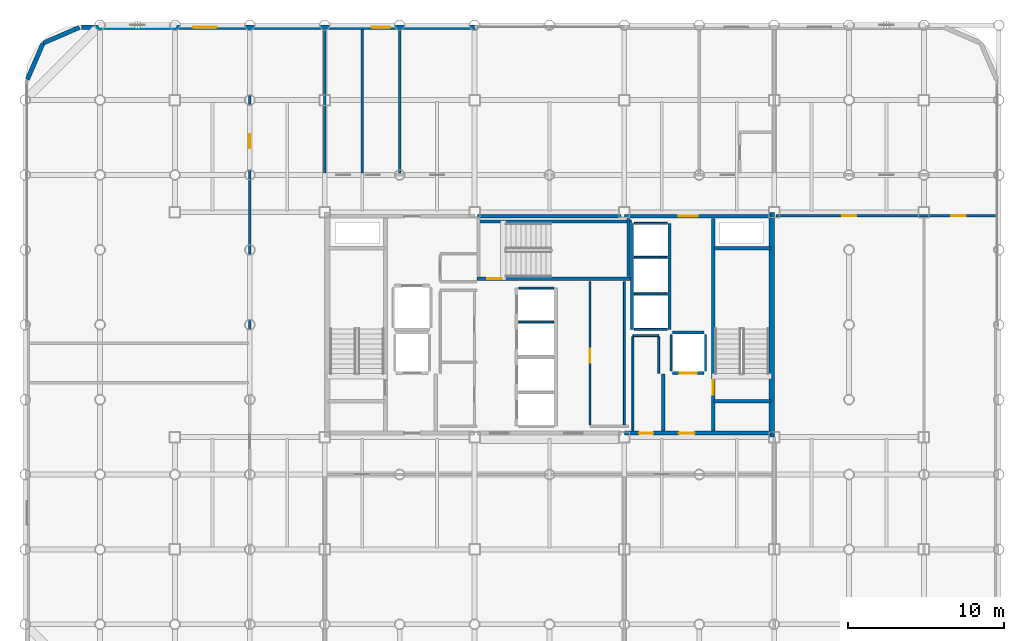
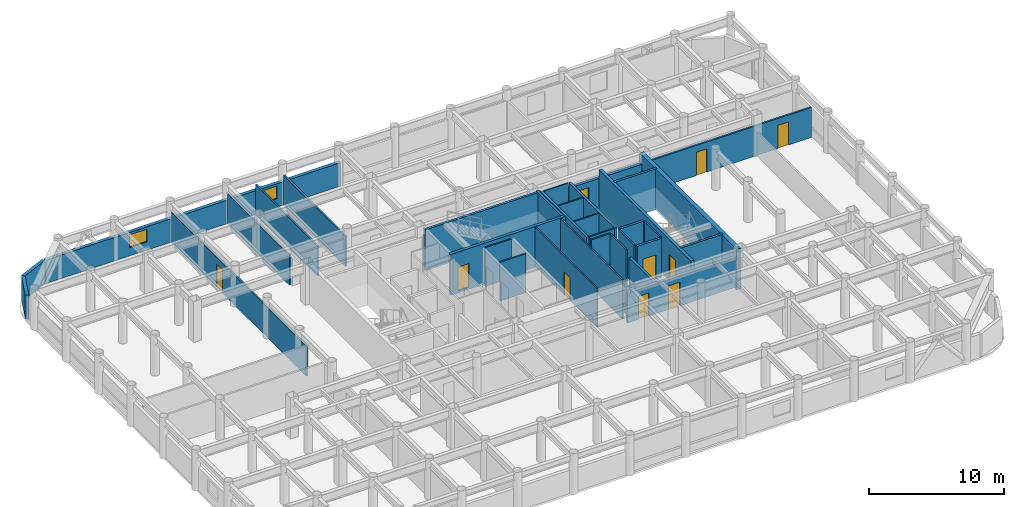
# One storey, part 17 of 19: 36 walls, 10 doors, 2 windows, 12 openings.
"""IFC4 building model written with IfcOpenShell, lengths in metres."""

import ifcopenshell
import ifcopenshell.guid

model = None  # the IFC model being written
_history = None  # IfcOwnerHistory: only IFC2X3 demands one
_inside = {}  # id of a spatial element -> (the spatial element, [elements in it])
_under = {}  # id of a project, library or spatial element -> (it, [spatial elements below it])
_declared = {}  # id of a project -> (the project, [libraries it declares])
_typed = {}  # id of a type object -> (the type object, [elements of that type])
_made_of = {}  # id of a material, layer set ... -> (it, [elements and type objects made of it])


def new_model(schema):
    """Start an empty IFC model of exactly this schema.

    Asked for "IFC4X3", IfcOpenShell would pick the latest addendum, in which some entities
    have other attributes; the version numbers below select the first issue.
    IFC2X3 requires an IfcOwnerHistory on every rooted entity: one is made here for all.
    """
    global model, _history
    if schema == "IFC4X3":
        model = ifcopenshell.file(schema_version=(4, 3, 0, 0))
    else:
        model = ifcopenshell.file(schema=schema)
    _inside.clear()
    _under.clear()
    _declared.clear()
    _typed.clear()
    _made_of.clear()
    _history = None
    if model.schema == "IFC2X3":
        org = make("IfcOrganization", Name="unknown")
        user = make(
            "IfcPersonAndOrganization",
            ThePerson=make("IfcPerson", FamilyName="unknown"),
            TheOrganization=org,
        )
        app = make(
            "IfcApplication",
            ApplicationDeveloper=org,
            Version="unknown",
            ApplicationFullName="unknown",
            ApplicationIdentifier="unknown",
        )
        _history = make(
            "IfcOwnerHistory",
            OwningUser=user,
            OwningApplication=app,
            ChangeAction="ADDED",
            CreationDate=0,
        )
    return model


def make(cls, **values):
    """One entity of the class cls with the attributes given. An attribute that is None is left unset."""
    return model.create_entity(
        cls, **{name: value for name, value in values.items() if value is not None}
    )


def rooted(cls, **values):
    """An entity with a GlobalId (a new one), such as an element, a storey or a relation."""
    return make(cls, GlobalId=ifcopenshell.guid.new(), OwnerHistory=_history, **values)


def si_unit(unit_type, name, prefix=None):
    """IfcSIUnit, for example si_unit("LENGTHUNIT", "METRE", prefix="MILLI")."""
    return make("IfcSIUnit", UnitType=unit_type, Prefix=prefix, Name=name)


def assignment(units):
    """IfcUnitAssignment: the units of a project."""
    return None if units is None else make("IfcUnitAssignment", Units=units)


def point(xyz):
    """IfcCartesianPoint."""
    return None if xyz is None else make("IfcCartesianPoint", Coordinates=xyz)


def direction(xyz):
    """IfcDirection."""
    return None if xyz is None else make("IfcDirection", DirectionRatios=xyz)


def frame(location, z_axis=None, x_axis=None):
    """IfcAxis2Placement3D, a coordinate frame: its origin and axes. An axis left out is left unset."""
    return make(
        "IfcAxis2Placement3D",
        Location=point(location),
        Axis=direction(z_axis),
        RefDirection=direction(x_axis),
    )


def frame_2d(location, x_axis=None):
    """IfcAxis2Placement2D, a coordinate frame in the plane: its origin and x axis."""
    return make(
        "IfcAxis2Placement2D", Location=point(location), RefDirection=direction(x_axis)
    )


def origin():
    """The frame at (0, 0, 0) with its axes left unset."""
    return frame((0.0, 0.0, 0.0))


def place(relative_to, where):
    """IfcLocalPlacement: puts the frame where relative to a parent placement (None: the world)."""
    return make(
        "IfcLocalPlacement", PlacementRelTo=relative_to, RelativePlacement=where
    )


def context(
    kind, dimensions, precision=None, world=None, true_north=None, identifier=None
):
    """IfcGeometricRepresentationContext, for example the 3D "Model" context."""
    return make(
        "IfcGeometricRepresentationContext",
        ContextIdentifier=identifier,
        ContextType=kind,
        CoordinateSpaceDimension=dimensions,
        Precision=precision,
        WorldCoordinateSystem=world,
        TrueNorth=true_north,
    )


def subcontext(parent, identifier, kind, view, scale=None):
    """IfcGeometricRepresentationSubContext, for example "Body" below "Model"."""
    return make(
        "IfcGeometricRepresentationSubContext",
        ContextIdentifier=identifier,
        ContextType=kind,
        ParentContext=parent,
        TargetScale=scale,
        TargetView=view,
    )


def project(units=None, contexts=None):
    """IfcProject with its units and contexts."""
    return rooted(
        "IfcProject",
        Name="project",
        RepresentationContexts=contexts,
        UnitsInContext=assignment(units),
    )


def spatial(cls, under=None, at=None, **own):
    """A site, building, storey or space (cls), placed at a placement, below another one or the project."""
    s = rooted(cls, ObjectPlacement=at, **own)
    if under is not None:
        _under.setdefault(under.id(), (under, []))[1].append(s)
    return s


def profile(cls, at=None, kind="AREA", **sizes):
    """A parametric profile (cls). Its sizes go by their IFC names, for example OverallWidth=200.0."""
    return make(cls, ProfileType=kind, Position=at, **sizes)


def rectangle(**sizes):
    """IfcRectangleProfileDef."""
    return profile("IfcRectangleProfileDef", **sizes)


def extrude(swept, where, along, depth):
    """IfcExtrudedAreaSolid: the profile swept, set in the frame where, extruded along a direction by depth."""
    return make(
        "IfcExtrudedAreaSolid",
        SweptArea=swept,
        Position=where,
        ExtrudedDirection=direction(along),
        Depth=depth,
    )


def shape(context_of_items, identifier, shape_type, items):
    """IfcShapeRepresentation: the items that make up one representation, for example the "Body"."""
    return make(
        "IfcShapeRepresentation",
        ContextOfItems=context_of_items,
        RepresentationIdentifier=identifier,
        RepresentationType=shape_type,
        Items=items,
    )


def material(Name=None, Category=None):
    """IfcMaterial."""
    return make("IfcMaterial", Name=Name, Category=Category)


def layer(
    of_material, thickness, ventilated=None, Name=None, Category=None, Priority=None
):
    """IfcMaterialLayer: one layer of a wall or slab, of a material (None: an air gap)."""
    return make(
        "IfcMaterialLayer",
        Material=of_material,
        LayerThickness=thickness,
        IsVentilated=ventilated,
        Name=Name,
        Category=Category,
        Priority=Priority,
    )


def layer_set(layers, Name=None):
    """IfcMaterialLayerSet."""
    return make("IfcMaterialLayerSet", MaterialLayers=layers, LayerSetName=Name)


def made_of(thing, what):
    """Note that an element or type object is made of a material, layer set ...; save() writes the relation."""
    if what is not None:
        _made_of.setdefault(what.id(), (what, []))[1].append(thing)
    return thing


def type_object(cls, material=None, **own):
    """A type object (cls), such as IfcWallType, which elements share."""
    return made_of(rooted(cls, **own), material)


def element(
    cls,
    number,
    at=None,
    inside=None,
    cuts=None,
    type_object=None,
    material=None,
    context=None,
    identifier="Body",
    shape_type=None,
    held_by="IfcProductDefinitionShape",
    body=None,
    shapes=None,
    **own,
):
    """One element of the class cls, such as IfcWall. Its Tag is "e" and its number.

    at: its placement. inside: the storey or other place that contains it. cuts: it is an
    opening in that element (IfcRelVoidsElement). A single representation is given by context,
    identifier, shape_type and body (its items); several are given by shapes. held_by: the class
    of the entity that holds the representations. save() writes the other relations.
    """
    e = rooted(cls, Tag="e%d" % number, ObjectPlacement=at, **own)
    if body is not None:
        shapes = [shape(context, identifier, shape_type, body)]
    if shapes is not None:
        e.Representation = make(held_by, Representations=shapes)
    if inside is not None:
        _inside.setdefault(inside.id(), (inside, []))[1].append(e)
    if cuts is not None:
        rooted(
            "IfcRelVoidsElement", RelatingBuildingElement=cuts, RelatedOpeningElement=e
        )
    if type_object is not None:
        _typed.setdefault(type_object.id(), (type_object, []))[1].append(e)
    return made_of(e, material)


def fill(opening, filler):
    """IfcRelFillsElement: the door or window that sits in an opening."""
    return rooted(
        "IfcRelFillsElement",
        RelatingOpeningElement=opening,
        RelatedBuildingElement=filler,
    )


def aggregate(whole, parts):
    """IfcRelAggregates: a whole, such as a stair, and the parts it consists of."""
    return rooted("IfcRelAggregates", RelatingObject=whole, RelatedObjects=parts)


def save(model, path):
    """Write the relations noted so far, then the file.

    IfcRelAggregates (storeys below a building ...), IfcRelContainedInSpatialStructure (elements
    in a storey), IfcRelDefinesByType, IfcRelAssociatesMaterial and IfcRelDeclares: one each for
    every whole, place, type object, material and project.
    """
    for whole, parts in _under.values():
        aggregate(whole, parts)
    for where, things in _inside.values():
        rooted(
            "IfcRelContainedInSpatialStructure",
            RelatedElements=things,
            RelatingStructure=where,
        )
    for kind, things in _typed.values():
        rooted("IfcRelDefinesByType", RelatedObjects=things, RelatingType=kind)
    for what, things in _made_of.values():
        rooted("IfcRelAssociatesMaterial", RelatedObjects=things, RelatingMaterial=what)
    for by, libraries in _declared.values():
        rooted("IfcRelDeclares", RelatingContext=by, RelatedDefinitions=libraries)
    model.write(path)


model = new_model("IFC4")

# Units and contexts
model_context = context("Model", 3, precision=1e-05, world=origin(), true_north=direction((0.0, 1.0)))
body_context = subcontext(model_context, "Body", "Model", "MODEL_VIEW")
ifc_project = project(units=[si_unit("LENGTHUNIT", "METRE"), si_unit("AREAUNIT", "SQUARE_METRE"), si_unit("VOLUMEUNIT", "CUBIC_METRE"), si_unit("PLANEANGLEUNIT", "RADIAN"), si_unit("MASSUNIT", "GRAM", prefix="KILO")], contexts=[model_context])

# Site, building, storey
site_placement = place(None, origin())
site = spatial("IfcSite", under=ifc_project, at=site_placement, CompositionType="ELEMENT")
building_placement = place(site_placement, origin())
building = spatial("IfcBuilding", under=site, at=building_placement, Name="Kallvorn Hotel Tower", CompositionType="ELEMENT")
storey_placement = place(building_placement, frame((0.0, 0.0, 169.199951171875)))
storey = spatial("IfcBuildingStorey", under=building, at=storey_placement, Name="L42", CompositionType="ELEMENT", Elevation=169.199951171875)

# Walls
ifc_material_1 = material(Name="Concrete C50/60", Category="concrete")
ifc_layer_1 = layer(ifc_material_1, 0.35009765625)
ifc_layer_set_1 = layer_set([ifc_layer_1], Name="WL_CORE_350")
wall_type_1 = type_object("IfcWallType", Name="WL_CORE_350", PredefinedType="SHEAR", material=ifc_layer_set_1)
wall_1_placement = place(storey_placement, frame((14.239990234375, -7.199951171875, -0.179931640625), z_axis=(0.0, 0.0, 1.0), x_axis=(0.0, 1.0, 0.0)))
element("IfcWall", 1, at=wall_1_placement, inside=storey, type_object=wall_type_1, Name="L42 Core East Shear Wall", PredefinedType="SHEAR", context=body_context, shape_type="SweptSolid", body=[
    extrude(rectangle(XDim=14.39990234375, YDim=0.35009765625, at=frame_2d((7.199951171875, 0.0))), origin(), (0.0, 0.0, 1.0), 3.699951171875),
])
ifc_material_2 = material(Name="Precast basalt-clad insulated concrete wall C40/50", Category="masonry")
ifc_layer_2 = layer(ifc_material_2, 0.280029296875)
ifc_layer_set_2 = layer_set([ifc_layer_2], Name="WL_EXT_LOGGIA_280")
wall_type_2 = type_object("IfcWallType", Name="WL_EXT_LOGGIA_280", PredefinedType="SOLIDWALL", material=ifc_layer_set_2)
wall_2_placement = place(storey_placement, frame((-30.120849609375, 19.057861328125, 0.0), z_axis=(0.0, 0.0, 1.0), x_axis=(-0.917060872934, -0.398747232384, 0.0)))
element("IfcWall", 2, at=wall_2_placement, inside=storey, type_object=wall_type_2, Name="L42 Rounded Corner Exterior Wall NW1", PredefinedType="SOLIDWALL", context=body_context, shape_type="SweptSolid", body=[
    extrude(rectangle(XDim=2.5361328125, YDim=0.280029296875, at=frame_2d((1.26806640625, 0.0))), origin(), (0.0, 0.0, 1.0), 2.1201171875),
])
wall_3_placement = place(storey_placement, frame((-32.446533203125, 18.046630859375, 0.0), z_axis=(0.0, 0.0, 1.0), x_axis=(-0.398792985289, -0.917040977756, 0.0)))
element("IfcWall", 3, at=wall_3_placement, inside=storey, type_object=wall_type_2, Name="L42 Rounded Corner Exterior Wall NW2", PredefinedType="SOLIDWALL", context=body_context, shape_type="SweptSolid", body=[
    extrude(rectangle(XDim=2.536376953125, YDim=0.280029296875, at=frame_2d((1.26806640625, 0.0))), origin(), (0.0, 0.0, 1.0), 2.1201171875),
])

# Wall, openings, windows
wall_4_placement = place(storey_placement, frame((-30.0, 19.06005859375, 0.0), z_axis=(0.0, 0.0, 1.0), x_axis=(1.0, 0.0, 0.0)))
wall_4 = element("IfcWall", 4, at=wall_4_placement, inside=storey, type_object=wall_type_2, Name="L42 Exterior Envelope Wall EW-L42-NW", PredefinedType="SOLIDWALL", context=body_context, shape_type="SweptSolid", body=[
    extrude(rectangle(XDim=25.25, YDim=0.280029296875, at=frame_2d((12.625, 0.0))), origin(), (0.0, 0.0, 1.0), 2.1201171875),
])
opening_1_placement = place(wall_4_placement, frame((7.1630859375, 0.0, 0.75)))
opening_1 = element("IfcOpeningElement", 5, at=opening_1_placement, cuts=wall_4, Name="Opening W05A", PredefinedType="OPENING", context=body_context, shape_type="SweptSolid", body=[
    extrude(rectangle(XDim=1.5, YDim=1.14990234375, at=frame_2d((0.75, 0.574951171875))), frame((0.0, 0.155029296875, 0.0), z_axis=(0.0, -1.0, 0.0), x_axis=(1.0, 0.0, 0.0)), (0.0, 0.0, 1.0), 0.31005859375),
])
opening_2_placement = place(wall_4_placement, frame((18.60009765625, 0.0, 0.75)))
opening_2 = element("IfcOpeningElement", 6, at=opening_2_placement, cuts=wall_4, Name="Opening W06A", PredefinedType="OPENING", context=body_context, shape_type="SweptSolid", body=[
    extrude(rectangle(XDim=1.199951171875, YDim=1.14990234375, at=frame_2d((0.60009765625, 0.574951171875))), frame((0.0, 0.155029296875, 0.0), z_axis=(0.0, -1.0, 0.0), x_axis=(1.0, 0.0, 0.0)), (0.0, 0.0, 1.0), 0.31005859375),
])
ifc_material_3 = material(Name="Triple-glazed low-e acoustic solar-control dark glass", Category="glass")
window_type_1 = type_object("IfcWindowType", Name="WN_HTL_1200x1150", PartitioningType="SINGLE_PANEL", PredefinedType="WINDOW", material=ifc_material_3)
window_1_placement = place(opening_2_placement, origin())
window_1 = element("IfcWindow", 7, at=window_1_placement, inside=storey, type_object=window_type_1, Name="L42 Guestroom Exterior Window 07", OverallHeight=1.14990234375, OverallWidth=1.199951171875, PartitioningType="SINGLE_PANEL", PredefinedType="WINDOW", context=body_context, shape_type="SweptSolid", body=[
    extrude(rectangle(XDim=1.199951171875, YDim=1.14990234375, at=frame_2d((0.60009765625, 0.574951171875))), frame((0.0, 0.030029296875, 0.0), z_axis=(0.0, -1.0, 0.0), x_axis=(1.0, 0.0, 0.0)), (0.0, 0.0, 1.0), 0.06005859375),
])
fill(opening_2, window_1)
ifc_material_4 = material(Name="Double-glazed low-e solar-control dark glass", Category="glass")
window_type_2 = type_object("IfcWindowType", Name="WN_HTL_1500x1150", PartitioningType="SINGLE_PANEL", PredefinedType="WINDOW", material=ifc_material_4)
window_2_placement = place(opening_1_placement, origin())
window_2 = element("IfcWindow", 8, at=window_2_placement, inside=storey, type_object=window_type_2, Name="L42 Guestroom Exterior Window 03", OverallHeight=1.14990234375, OverallWidth=1.5, PartitioningType="SINGLE_PANEL", PredefinedType="WINDOW", context=body_context, shape_type="SweptSolid", body=[
    extrude(rectangle(XDim=1.5, YDim=1.14990234375, at=frame_2d((0.75, 0.574951171875))), frame((0.0, 0.030029296875, 0.0), z_axis=(0.0, -1.0, 0.0), x_axis=(1.0, 0.0, 0.0)), (0.0, 0.0, 1.0), 0.06005859375),
])
fill(opening_1, window_2)

# Walls
ifc_material_5 = material(Name="Concrete C40/50", Category="concrete")
ifc_layer_3 = layer(ifc_material_5, 0.219970703125)
ifc_layer_set_3 = layer_set([ifc_layer_3], Name="WL_FFL_220")
wall_type_3 = type_object("IfcWallType", Name="WL_FFL_220", PredefinedType="SOLIDWALL", material=ifc_layer_set_3)
wall_5_placement = place(storey_placement, frame((7.300048828125, -6.820068359375, 0.0), z_axis=(0.0, 0.0, 1.0), x_axis=(0.0, 1.0, 0.0)))
element("IfcWall", 9, at=wall_5_placement, inside=storey, type_object=wall_type_3, Name="L42 Firefighting Lobby East Divider Wall", PredefinedType="SOLIDWALL", context=body_context, shape_type="SweptSolid", body=[
    extrude(rectangle(XDim=3.670166015625, YDim=0.219970703125, at=frame_2d((1.8349609375, 0.0))), origin(), (0.0, 0.0, 1.0), 2.719970703125),
])
ifc_material_6 = material(Name="Concrete C40/50", Category="concrete")
ifc_layer_4 = layer(ifc_material_6, 0.199951171875)
ifc_layer_set_4 = layer_set([ifc_layer_4], Name="WL_HOIST_200")
wall_type_4 = type_object("IfcWallType", Name="WL_HOIST_200", PredefinedType="SOLIDWALL", material=ifc_layer_set_4)
for number, where, z_axis, x_axis, name in (
    (10, (10.550048828125, -4.89990234375, -0.179931640625), (0.0, 0.0, 1.0), (1.0, 0.0, 0.0), "L42 Stair ST2 South Wall"),
    (11, (10.550048828125, 4.89990234375, -0.179931640625), (0.0, 0.0, 1.0), (1.0, 0.0, 0.0), "L42 Stair ST2 North Wall"),
):
    element("IfcWall", number, at=place(storey_placement, frame(where, z_axis=z_axis, x_axis=x_axis)), inside=storey, type_object=wall_type_4, Name=name, PredefinedType="SOLIDWALL", context=body_context, shape_type="SweptSolid", body=[
        extrude(rectangle(XDim=3.64990234375, YDim=0.199951171875, at=frame_2d((1.824951171875, 0.0))), origin(), (0.0, 0.0, 1.0), 3.699951171875),
    ])
wall_6_placement = place(storey_placement, frame((-4.64990234375, 6.610107421875, -0.179931640625), z_axis=(0.0, 0.0, 1.0), x_axis=(1.0, 0.0, 0.0)))
element("IfcWall", 12, at=wall_6_placement, inside=storey, type_object=wall_type_4, Name="L42 Stair ST3 Shaft North Wall", PredefinedType="SOLIDWALL", context=body_context, shape_type="SweptSolid", body=[
    extrude(rectangle(XDim=9.89990234375, YDim=0.199951171875, at=frame_2d((4.949951171875, 0.0))), origin(), (0.0, 0.0, 1.0), 3.699951171875),
])
wall_7_placement = place(storey_placement, frame((5.06005859375, 3.080078125, -0.179931640625), z_axis=(0.0, 0.0, 1.0), x_axis=(0.0, 1.0, 0.0)))
element("IfcWall", 13, at=wall_7_placement, inside=storey, type_object=wall_type_4, Name="L42 Stair ST3 East Wall", PredefinedType="SOLIDWALL", context=body_context, shape_type="SweptSolid", body=[
    extrude(rectangle(XDim=3.739990234375, YDim=0.199951171875, at=frame_2d((1.8701171875, 0.0))), origin(), (0.0, 0.0, 1.0), 3.699951171875),
])
for number, where, z_axis, x_axis, name in (
    (14, (7.699951171875, -0.300048828125, 0.0), (0.0, 0.0, 1.0), (0.0, 1.0, 0.0), "L42 Lift Bank OBS Landing Wall"),
    (15, (5.300048828125, -0.300048828125, 0.0), (0.0, 0.0, 1.0), (0.0, 1.0, 0.0), "L42 Lift Bank OBS Rear Shaft Wall"),
):
    element("IfcWall", number, at=place(storey_placement, frame(where, z_axis=z_axis, x_axis=x_axis)), inside=storey, type_object=wall_type_4, Name=name, PredefinedType="SOLIDWALL", context=body_context, shape_type="SweptSolid", body=[
        extrude(rectangle(XDim=6.800048828125, YDim=0.199951171875, at=frame_2d((3.39990234375, 0.0))), origin(), (0.0, 0.0, 1.0), 3.52001953125),
    ])

# Wall, opening, door
wall_8_placement = place(storey_placement, frame((7.8798828125, -3.10009765625, 0.0), z_axis=(0.0, 0.0, 1.0), x_axis=(1.0, 0.0, 0.0)))
wall_8 = element("IfcWall", 16, at=wall_8_placement, inside=storey, type_object=wall_type_4, Name="L42 FL-2 Landing Wall", PredefinedType="SOLIDWALL", context=body_context, shape_type="SweptSolid", body=[
    extrude(rectangle(XDim=2.0400390625, YDim=0.199951171875, at=frame_2d((1.02001953125, 0.0))), origin(), (0.0, 0.0, 1.0), 3.52001953125),
])
opening_3_placement = place(wall_8_placement, frame((0.469970703125, 0.0, 0.0)))
opening_3 = element("IfcOpeningElement", 17, at=opening_3_placement, cuts=wall_8, Name="Opening LD-FL-2", PredefinedType="OPENING", context=body_context, shape_type="SweptSolid", body=[
    extrude(rectangle(XDim=1.10009765625, YDim=2.199951171875, at=frame_2d((0.550048828125, 1.10009765625))), frame((0.0, 0.114990234375, 0.0), z_axis=(0.0, -1.0, 0.0), x_axis=(1.0, 0.0, 0.0)), (0.0, 0.0, 1.0), 0.22998046875),
])
ifc_material_7 = material(Name="Brushed stainless-steel automatic sliding lift landing door", Category="steel")
door_type_1 = type_object("IfcDoorType", Name="LD_PASS_1100x2200", OperationType="SLIDING_TO_LEFT", PredefinedType="DOOR", material=ifc_material_7)
door_1_placement = place(opening_3_placement, origin())
door_1 = element("IfcDoor", 18, at=door_1_placement, inside=storey, type_object=door_type_1, Name="L42 Lift Landing Sliding Door LD-FL-2", OperationType="SLIDING_TO_LEFT", OverallHeight=2.199951171875, OverallWidth=1.10009765625, PredefinedType="DOOR", context=body_context, shape_type="SweptSolid", body=[
    extrude(rectangle(XDim=1.10009765625, YDim=2.199951171875, at=frame_2d((0.550048828125, 1.10009765625))), frame((0.0, 0.02490234375, 0.0), z_axis=(0.0, -1.0, 0.0), x_axis=(1.0, 0.0, 0.0)), (0.0, 0.0, 1.0), 0.050048828125),
])
fill(opening_3, door_1)

# Walls
wall_9_placement = place(storey_placement, frame((7.8798828125, -0.5, 0.0), z_axis=(0.0, 0.0, 1.0), x_axis=(1.0, 0.0, 0.0)))
element("IfcWall", 19, at=wall_9_placement, inside=storey, type_object=wall_type_4, Name="L42 FL-2 Rear Shaft Wall", PredefinedType="SOLIDWALL", context=body_context, shape_type="SweptSolid", body=[
    extrude(rectangle(XDim=2.0400390625, YDim=0.199951171875, at=frame_2d((1.02001953125, 0.0))), origin(), (0.0, 0.0, 1.0), 3.52001953125),
])
ifc_material_8 = material(Name="Fire-rated double-layer acoustic gypsum drywall EI 60")
ifc_layer_5 = layer(ifc_material_8, 0.1201171875)
ifc_layer_set_5 = layer_set([ifc_layer_5], Name="WL_INT_120")
wall_type_5 = type_object("IfcWallType", Name="WL_INT_120", PredefinedType="PARTITIONING", material=ifc_layer_set_5)
for number, where, z_axis, x_axis, name in (
    (20, (-1.9599609375, 0.175048828125, 0.0), (0.0, 0.0, 1.0), (1.0, 0.0, 0.0), "L42 PL-07 Hoistway Divider"),
    (21, (-1.9599609375, 2.35009765625, 0.0), (0.0, 0.0, 1.0), (1.0, 0.0, 0.0), "L42 PL-08 Hoistway Divider"),
):
    element("IfcWall", number, at=place(storey_placement, frame(where, z_axis=z_axis, x_axis=x_axis)), inside=storey, type_object=wall_type_5, Name=name, PredefinedType="PARTITIONING", context=body_context, shape_type="SweptSolid", body=[
        extrude(rectangle(XDim=2.219970703125, YDim=0.1201171875, at=frame_2d((1.10986328125, 0.0))), origin(), (0.0, 0.0, 1.0), 3.52001953125),
    ])
for number, where, z_axis, x_axis, name in (
    (22, (5.43994140625, -0.300048828125, 0.0), (0.0, 0.0, 1.0), (1.0, 0.0, 0.0), "L42 Lift Bank OBS South Closure Wall"),
    (23, (5.43994140625, 1.97509765625, 0.0), (0.0, 0.0, 1.0), (1.0, 0.0, 0.0), "L42 OB-01 Hoistway Divider"),
    (24, (5.43994140625, 4.324951171875, 0.0), (0.0, 0.0, 1.0), (1.0, 0.0, 0.0), "L42 OB-02 Hoistway Divider"),
    (25, (5.43994140625, 6.5, 0.0), (0.0, 0.0, 1.0), (1.0, 0.0, 0.0), "L42 OB-03 Hoistway Divider"),
):
    element("IfcWall", number, at=place(storey_placement, frame(where, z_axis=z_axis, x_axis=x_axis)), inside=storey, type_object=wall_type_5, Name=name, PredefinedType="PARTITIONING", context=body_context, shape_type="SweptSolid", body=[
        extrude(rectangle(XDim=2.1201171875, YDim=0.1201171875, at=frame_2d((1.06005859375, 0.0))), origin(), (0.0, 0.0, 1.0), 3.52001953125),
    ])
for number, where, z_axis, x_axis, name in (
    (26, (7.800048828125, -2.9599609375, 0.0), (0.0, 0.0, 1.0), (0.0, 1.0, 0.0), "L42 FL-2 West Shaft Wall"),
    (27, (10.0, -2.9599609375, 0.0), (0.0, 0.0, 1.0), (0.0, 1.0, 0.0), "L42 FL-2 East Shaft Wall"),
):
    element("IfcWall", number, at=place(storey_placement, frame(where, z_axis=z_axis, x_axis=x_axis)), inside=storey, type_object=wall_type_5, Name=name, PredefinedType="PARTITIONING", context=body_context, shape_type="SweptSolid", body=[
        extrude(rectangle(XDim=2.320068359375, YDim=0.1201171875, at=frame_2d((1.16015625, 0.0))), origin(), (0.0, 0.0, 1.0), 3.52001953125),
    ])
wall_10_placement = place(storey_placement, frame((5.35009765625, -0.699951171875, 0.0), z_axis=(0.0, 0.0, 1.0), x_axis=(1.0, 0.0, 0.0)))
element("IfcWall", 28, at=wall_10_placement, inside=storey, type_object=wall_type_5, Name="L42 Core Utility and Meter Room Partition", PredefinedType="PARTITIONING", context=body_context, shape_type="SweptSolid", body=[
    extrude(rectangle(XDim=1.64990234375, YDim=0.1201171875, at=frame_2d((0.824951171875, 0.0))), origin(), (0.0, 0.0, 1.0), 3.52001953125),
])

# Wall, opening, door
wall_11_placement = place(storey_placement, frame((2.60009765625, -6.4150390625, 0.0), z_axis=(0.0, 0.0, 1.0), x_axis=(0.0, 1.0, 0.0)))
wall_11 = element("IfcWall", 29, at=wall_11_placement, inside=storey, type_object=wall_type_5, Name="L42 East Core Consolidated Linen and Supply Store Partition", PredefinedType="PARTITIONING", context=body_context, shape_type="SweptSolid", body=[
    extrude(rectangle(XDim=9.1650390625, YDim=0.1201171875, at=frame_2d((4.58251953125, 0.0))), origin(), (0.0, 0.0, 1.0), 3.52001953125),
])
opening_4_placement = place(wall_11_placement, frame((3.965087890625, 0.0, 0.0)))
opening_4 = element("IfcOpeningElement", 30, at=opening_4_placement, cuts=wall_11, Name="Opening SVD1", PredefinedType="OPENING", context=body_context, shape_type="SweptSolid", body=[
    extrude(rectangle(XDim=0.89990234375, YDim=2.10009765625, at=frame_2d((0.449951171875, 1.050048828125))), frame((0.0, 0.074951171875, 0.0), z_axis=(0.0, -1.0, 0.0), x_axis=(1.0, 0.0, 0.0)), (0.0, 0.0, 1.0), 0.150146484375),
])
ifc_material_9 = material(Name="Galvanised painted steel fire-rated door assembly", Category="steel")
door_type_2 = type_object("IfcDoorType", Name="DR_SERV_900x2100", OperationType="NOTDEFINED", PredefinedType="DOOR", material=ifc_material_9)
door_2_placement = place(opening_4_placement, origin())
door_2 = element("IfcDoor", 31, at=door_2_placement, inside=storey, type_object=door_type_2, Name="L42 East Core Consolidated Linen and Supply Store Door", OperationType="SINGLE_SWING_RIGHT", OverallHeight=2.10009765625, OverallWidth=0.89990234375, PredefinedType="DOOR", context=body_context, shape_type="SweptSolid", body=[
    extrude(rectangle(XDim=0.89990234375, YDim=2.10009765625, at=frame_2d((0.449951171875, 1.050048828125))), frame((0.0, 0.02490234375, 0.0), z_axis=(0.0, -1.0, 0.0), x_axis=(1.0, 0.0, 0.0)), (0.0, 0.0, 1.0), 0.050048828125),
])
fill(opening_4, door_2)

# Walls
wall_12_placement = place(storey_placement, frame((4.800048828125, -6.4150390625, 0.0), z_axis=(0.0, 0.0, 1.0), x_axis=(0.0, 1.0, 0.0)))
element("IfcWall", 32, at=wall_12_placement, inside=storey, type_object=wall_type_5, Name="L42 East Core Consolidated Linen and Supply Store Partition", PredefinedType="PARTITIONING", context=body_context, shape_type="SweptSolid", body=[
    extrude(rectangle(XDim=9.1650390625, YDim=0.1201171875, at=frame_2d((4.58251953125, 0.0))), origin(), (0.0, 0.0, 1.0), 3.52001953125),
])
wall_13_placement = place(storey_placement, frame((5.35009765625, -6.800048828125, 0.0), z_axis=(0.0, 0.0, 1.0), x_axis=(0.0, 1.0, 0.0)))
element("IfcWall", 33, at=wall_13_placement, inside=storey, type_object=wall_type_5, Name="L42 Core Utility and Meter Room Partition", PredefinedType="PARTITIONING", context=body_context, shape_type="SweptSolid", body=[
    extrude(rectangle(XDim=6.01513671875, YDim=0.1201171875, at=frame_2d((3.007568359375, 0.0))), origin(), (0.0, 0.0, 1.0), 2.719970703125),
])
wall_14_placement = place(storey_placement, frame((7.0, -3.110107421875, 0.0), z_axis=(0.0, 0.0, 1.0), x_axis=(0.0, 1.0, 0.0)))
element("IfcWall", 34, at=wall_14_placement, inside=storey, type_object=wall_type_5, Name="L42 Core Utility and Meter Room Partition", PredefinedType="PARTITIONING", context=body_context, shape_type="SweptSolid", body=[
    extrude(rectangle(XDim=2.3251953125, YDim=0.1201171875, at=frame_2d((1.16259765625, 0.0))), origin(), (0.0, 0.0, 1.0), 3.52001953125),
])

# Wall, openings, doors
ifc_material_10 = material(Name="Fire-rated double-layer acoustic gypsum drywall EI 60")
ifc_layer_6 = layer(ifc_material_10, 0.14990234375)
ifc_layer_set_6 = layer_set([ifc_layer_6], Name="WL_PART_150")
wall_type_6 = type_object("IfcWallType", Name="WL_PART_150", PredefinedType="PARTITIONING", material=ifc_layer_set_6)
wall_15_placement = place(storey_placement, frame((14.52001953125, 6.97998046875, 0.0), z_axis=(0.0, 0.0, 1.0), x_axis=(1.0, 0.0, 0.0)))
wall_15 = element("IfcWall", 35, at=wall_15_placement, inside=storey, type_object=wall_type_6, Name="L42 L42 South-East Cocktail Bar Partition", PredefinedType="PARTITIONING", context=body_context, shape_type="SweptSolid", body=[
    extrude(rectangle(XDim=14.10986328125, YDim=0.14990234375, at=frame_2d((7.054931640625, 0.0))), origin(), (0.0, 0.0, 1.0), 2.719970703125),
])
opening_5_placement = place(wall_15_placement, frame((4.22998046875, 0.0, 0.0)))
opening_5 = element("IfcOpeningElement", 36, at=opening_5_placement, cuts=wall_15, Name="Opening SVD1", PredefinedType="OPENING", context=body_context, shape_type="SweptSolid", body=[
    extrude(rectangle(XDim=0.89990234375, YDim=2.10009765625, at=frame_2d((0.449951171875, 1.050048828125))), frame((0.0, 0.08984375, 0.0), z_axis=(0.0, -1.0, 0.0), x_axis=(1.0, 0.0, 0.0)), (0.0, 0.0, 1.0), 0.179931640625),
])
opening_6_placement = place(wall_15_placement, frame((11.2451171875, 0.0, 0.0)))
opening_6 = element("IfcOpeningElement", 37, at=opening_6_placement, cuts=wall_15, Name="Opening SVD1", PredefinedType="OPENING", context=body_context, shape_type="SweptSolid", body=[
    extrude(rectangle(XDim=0.89990234375, YDim=2.10009765625, at=frame_2d((0.449951171875, 1.050048828125))), frame((0.0, 0.08984375, 0.0), z_axis=(0.0, -1.0, 0.0), x_axis=(1.0, 0.0, 0.0)), (0.0, 0.0, 1.0), 0.179931640625),
])
door_3_placement = place(opening_5_placement, origin())
door_3 = element("IfcDoor", 38, at=door_3_placement, inside=storey, type_object=door_type_2, Name="L42 L42 South-East Cocktail Bar Door", OperationType="SINGLE_SWING_LEFT", OverallHeight=2.10009765625, OverallWidth=0.89990234375, PredefinedType="DOOR", context=body_context, shape_type="SweptSolid", body=[
    extrude(rectangle(XDim=0.89990234375, YDim=2.10009765625, at=frame_2d((0.449951171875, 1.050048828125))), frame((0.0, 0.02490234375, 0.0), z_axis=(0.0, -1.0, 0.0), x_axis=(1.0, 0.0, 0.0)), (0.0, 0.0, 1.0), 0.050048828125),
])
fill(opening_5, door_3)
door_4_placement = place(opening_6_placement, origin())
door_4 = element("IfcDoor", 39, at=door_4_placement, inside=storey, type_object=door_type_2, Name="L42 L42 Far-East Design Boutique Door", OperationType="SINGLE_SWING_RIGHT", OverallHeight=2.10009765625, OverallWidth=0.89990234375, PredefinedType="DOOR", context=body_context, shape_type="SweptSolid", body=[
    extrude(rectangle(XDim=0.89990234375, YDim=2.10009765625, at=frame_2d((0.449951171875, 1.050048828125))), frame((0.0, 0.02490234375, 0.0), z_axis=(0.0, -1.0, 0.0), x_axis=(1.0, 0.0, 0.0)), (0.0, 0.0, 1.0), 0.050048828125),
])
fill(opening_6, door_4)

# Wall, opening, door
wall_16_placement = place(storey_placement, frame((-19.199951171875, -1.094970703125, 0.0), z_axis=(0.0, 0.0, 1.0), x_axis=(0.0, 1.0, 0.0)))
wall_16 = element("IfcWall", 40, at=wall_16_placement, inside=storey, type_object=wall_type_6, Name="L42 L42 North-West Cordillera Fitness Gymnasium Partition", PredefinedType="PARTITIONING", context=body_context, shape_type="SweptSolid", body=[
    extrude(rectangle(XDim=20.0048828125, YDim=0.14990234375, at=frame_2d((10.00244140625, 0.0))), origin(), (0.0, 0.0, 1.0), 2.719970703125),
])
opening_7_placement = place(wall_16_placement, frame((12.39697265625, 0.0, 0.0)))
opening_7 = element("IfcOpeningElement", 41, at=opening_7_placement, cuts=wall_16, Name="Opening SVD1", PredefinedType="OPENING", context=body_context, shape_type="SweptSolid", body=[
    extrude(rectangle(XDim=0.89990234375, YDim=2.10009765625, at=frame_2d((0.449951171875, 1.050048828125))), frame((0.0, 0.08984375, 0.0), z_axis=(0.0, -1.0, 0.0), x_axis=(1.0, 0.0, 0.0)), (0.0, 0.0, 1.0), 0.179931640625),
])
door_5_placement = place(opening_7_placement, origin())
door_5 = element("IfcDoor", 42, at=door_5_placement, inside=storey, type_object=door_type_2, Name="L42 L42 North-West Cordillera Fitness Gymnasium Door", OperationType="SINGLE_SWING_LEFT", OverallHeight=2.10009765625, OverallWidth=0.89990234375, PredefinedType="DOOR", context=body_context, shape_type="SweptSolid", body=[
    extrude(rectangle(XDim=0.89990234375, YDim=2.10009765625, at=frame_2d((0.449951171875, 1.050048828125))), frame((0.0, 0.02490234375, 0.0), z_axis=(0.0, -1.0, 0.0), x_axis=(1.0, 0.0, 0.0)), (0.0, 0.0, 1.0), 0.050048828125),
])
fill(opening_7, door_5)

# Walls
for number, where, z_axis, x_axis, name in (
    (43, (-14.39990234375, 9.719970703125, 0.0), (0.0, 0.0, 1.0), (0.0, 1.0, 0.0), "L42 Housekeeping and Linen Room Partition"),
    (44, (-12.0, 9.719970703125, 0.0), (0.0, 0.0, 1.0), (0.0, 1.0, 0.0), "L42 Guest Tea and Refreshment Bar Partition"),
    (45, (-9.60009765625, 9.719970703125, 0.0), (0.0, 0.0, 1.0), (0.0, 1.0, 0.0), "L42 Guest Tea and Refreshment Bar Partition"),
):
    element("IfcWall", number, at=place(storey_placement, frame(where, z_axis=z_axis, x_axis=x_axis)), inside=storey, type_object=wall_type_6, Name=name, PredefinedType="PARTITIONING", context=body_context, shape_type="SweptSolid", body=[
        extrude(rectangle(XDim=9.18994140625, YDim=0.14990234375, at=frame_2d((4.594970703125, 0.0))), origin(), (0.0, 0.0, 1.0), 2.719970703125),
    ])

# Wall, openings, doors
ifc_material_11 = material(Name="Concrete C40/50", Category="concrete")
ifc_layer_7 = layer(ifc_material_11, 0.25)
ifc_layer_set_7 = layer_set([ifc_layer_7], Name="WL_SHAFT_250")
wall_type_7 = type_object("IfcWallType", Name="WL_SHAFT_250", PredefinedType="SOLIDWALL", material=ifc_layer_set_7)
wall_17_placement = place(storey_placement, frame((4.800048828125, -6.949951171875, 0.0), z_axis=(0.0, 0.0, 1.0), x_axis=(1.0, 0.0, 0.0)))
wall_17 = element("IfcWall", 46, at=wall_17_placement, inside=storey, type_object=wall_type_7, Name="L42 Core South-East Wall", PredefinedType="SOLIDWALL", context=body_context, shape_type="SweptSolid", body=[
    extrude(rectangle(XDim=9.39990234375, YDim=0.25, at=frame_2d((4.699951171875, 0.0))), origin(), (0.0, 0.0, 1.0), 2.719970703125),
])
opening_8_placement = place(wall_17_placement, frame((3.5, 0.0, 0.0)))
opening_8 = element("IfcOpeningElement", 47, at=opening_8_placement, cuts=wall_17, Name="Opening FD1", PredefinedType="OPENING", context=body_context, shape_type="SweptSolid", body=[
    extrude(rectangle(XDim=1.0, YDim=2.14990234375, at=frame_2d((0.5, 1.074951171875))), frame((0.0, 0.139892578125, 0.0), z_axis=(0.0, -1.0, 0.0), x_axis=(1.0, 0.0, 0.0)), (0.0, 0.0, 1.0), 0.280029296875),
])
opening_9_placement = place(wall_17_placement, frame((0.949951171875, 0.0, 0.0)))
opening_9 = element("IfcOpeningElement", 48, at=opening_9_placement, cuts=wall_17, Name="Opening SVD1", PredefinedType="OPENING", context=body_context, shape_type="SweptSolid", body=[
    extrude(rectangle(XDim=0.89990234375, YDim=2.10009765625, at=frame_2d((0.449951171875, 1.050048828125))), frame((0.0, 0.139892578125, 0.0), z_axis=(0.0, -1.0, 0.0), x_axis=(1.0, 0.0, 0.0)), (0.0, 0.0, 1.0), 0.280029296875),
])
ifc_material_12 = material(Name="Galvanised painted steel fire-rated door assembly", Category="steel")
door_type_3 = type_object("IfcDoorType", Name="DR_FFL_1000x2150", OperationType="NOTDEFINED", PredefinedType="DOOR", material=ifc_material_12)
door_6_placement = place(opening_8_placement, origin())
door_6 = element("IfcDoor", 49, at=door_6_placement, inside=storey, type_object=door_type_3, Name="L42 Firefighting Lobby East Door", OperationType="SINGLE_SWING_RIGHT", OverallHeight=2.14990234375, OverallWidth=1.0, PredefinedType="DOOR", context=body_context, shape_type="SweptSolid", body=[
    extrude(rectangle(XDim=1.0, YDim=2.14990234375, at=frame_2d((0.5, 1.074951171875))), frame((0.0, 0.02490234375, 0.0), z_axis=(0.0, -1.0, 0.0), x_axis=(1.0, 0.0, 0.0)), (0.0, 0.0, 1.0), 0.050048828125),
])
fill(opening_8, door_6)
door_7_placement = place(opening_9_placement, origin())
door_7 = element("IfcDoor", 50, at=door_7_placement, inside=storey, type_object=door_type_2, Name="L42 Core Utility and Meter Room Door", OperationType="SINGLE_SWING_LEFT", OverallHeight=2.10009765625, OverallWidth=0.89990234375, PredefinedType="DOOR", context=body_context, shape_type="SweptSolid", body=[
    extrude(rectangle(XDim=0.89990234375, YDim=2.10009765625, at=frame_2d((0.449951171875, 1.050048828125))), frame((0.0, 0.02490234375, 0.0), z_axis=(0.0, -1.0, 0.0), x_axis=(1.0, 0.0, 0.0)), (0.0, 0.0, 1.0), 0.050048828125),
])
fill(opening_9, door_7)

# Wall
wall_18_placement = place(storey_placement, frame((-4.60009765625, 6.949951171875, 0.0), z_axis=(0.0, 0.0, 1.0), x_axis=(1.0, 0.0, 0.0)))
element("IfcWall", 51, at=wall_18_placement, inside=storey, type_object=wall_type_7, Name="L42 Core North-Central Wall", PredefinedType="SOLIDWALL", context=body_context, shape_type="SweptSolid", body=[
    extrude(rectangle(XDim=9.2001953125, YDim=0.25, at=frame_2d((4.60009765625, 0.0))), origin(), (0.0, 0.0, 1.0), 2.719970703125),
])

# Wall, opening, door
wall_19_placement = place(storey_placement, frame((4.800048828125, 6.949951171875, 0.0), z_axis=(0.0, 0.0, 1.0), x_axis=(1.0, 0.0, 0.0)))
wall_19 = element("IfcWall", 52, at=wall_19_placement, inside=storey, type_object=wall_type_7, Name="L42 Core North-East Wall", PredefinedType="SOLIDWALL", context=body_context, shape_type="SweptSolid", body=[
    extrude(rectangle(XDim=9.39990234375, YDim=0.25, at=frame_2d((4.699951171875, 0.0))), origin(), (0.0, 0.0, 1.0), 2.719970703125),
])
opening_10_placement = place(wall_19_placement, frame((3.5, 0.0, 0.0)))
opening_10 = element("IfcOpeningElement", 53, at=opening_10_placement, cuts=wall_19, Name="Opening FD2", PredefinedType="OPENING", context=body_context, shape_type="SweptSolid", body=[
    extrude(rectangle(XDim=1.199951171875, YDim=2.199951171875, at=frame_2d((0.60009765625, 1.10009765625))), frame((0.0, 0.139892578125, 0.0), z_axis=(0.0, -1.0, 0.0), x_axis=(1.0, 0.0, 0.0)), (0.0, 0.0, 1.0), 0.280029296875),
])
ifc_material_13 = material(Name="Galvanised painted steel fire-rated door assembly", Category="steel")
door_type_4 = type_object("IfcDoorType", Name="DR_LOBBY_1200x2200", OperationType="DOUBLE_DOOR_SINGLE_SWING", PredefinedType="DOOR", material=ifc_material_13)
door_8_placement = place(opening_10_placement, origin())
door_8 = element("IfcDoor", 54, at=door_8_placement, inside=storey, type_object=door_type_4, Name="L42 Observatory Shuttle Lobby Door", OperationType="DOUBLE_DOOR_SINGLE_SWING", OverallHeight=2.199951171875, OverallWidth=1.199951171875, PredefinedType="DOOR", context=body_context, shape_type="SweptSolid", body=[
    extrude(rectangle(XDim=1.199951171875, YDim=2.199951171875, at=frame_2d((0.60009765625, 1.10009765625))), frame((0.0, 0.02490234375, 0.0), z_axis=(0.0, -1.0, 0.0), x_axis=(1.0, 0.0, 0.0)), (0.0, 0.0, 1.0), 0.050048828125),
])
fill(opening_10, door_8)

wall_20_placement = place(storey_placement, frame((10.5, -6.820068359375, -0.179931640625), z_axis=(0.0, 0.0, 1.0), x_axis=(0.0, 1.0, 0.0)))
wall_20 = element("IfcWall", 55, at=wall_20_placement, inside=storey, type_object=wall_type_7, Name="L42 Stair ST2 Shaft Wall", PredefinedType="SOLIDWALL", context=body_context, shape_type="SweptSolid", body=[
    extrude(rectangle(XDim=13.64013671875, YDim=0.25, at=frame_2d((6.820068359375, 0.0))), origin(), (0.0, 0.0, 1.0), 3.699951171875),
])
opening_11_placement = place(wall_20_placement, frame((2.320068359375, 0.0, 0.179931640625)))
opening_11 = element("IfcOpeningElement", 56, at=opening_11_placement, cuts=wall_20, Name="Opening SD1", PredefinedType="OPENING", context=body_context, shape_type="SweptSolid", body=[
    extrude(rectangle(XDim=0.949951171875, YDim=2.14990234375, at=frame_2d((0.47509765625, 1.074951171875))), frame((0.0, 0.139892578125, 0.0), z_axis=(0.0, -1.0, 0.0), x_axis=(1.0, 0.0, 0.0)), (0.0, 0.0, 1.0), 0.280029296875),
])
ifc_material_14 = material(Name="Galvanised painted steel fire-rated door assembly", Category="steel")
door_type_5 = type_object("IfcDoorType", Name="DR_STAIR_950x2150", OperationType="NOTDEFINED", PredefinedType="DOOR", material=ifc_material_14)
door_9_placement = place(opening_11_placement, origin())
door_9 = element("IfcDoor", 57, at=door_9_placement, inside=storey, type_object=door_type_5, Name="L42 Exit Stair ST2 Fire Door", OperationType="SINGLE_SWING_LEFT", OverallHeight=2.14990234375, OverallWidth=0.949951171875, PredefinedType="DOOR", context=body_context, shape_type="SweptSolid", body=[
    extrude(rectangle(XDim=0.949951171875, YDim=2.14990234375, at=frame_2d((0.47509765625, 1.074951171875))), frame((0.0, 0.02490234375, 0.0), z_axis=(0.0, -1.0, 0.0), x_axis=(1.0, 0.0, 0.0)), (0.0, 0.0, 1.0), 0.050048828125),
])
fill(opening_11, door_9)

wall_21_placement = place(storey_placement, frame((-4.64990234375, 2.949951171875, -0.179931640625), z_axis=(0.0, 0.0, 1.0), x_axis=(1.0, 0.0, 0.0)))
wall_21 = element("IfcWall", 58, at=wall_21_placement, inside=storey, type_object=wall_type_7, Name="L42 Stair ST3 Shaft South Wall", PredefinedType="SOLIDWALL", context=body_context, shape_type="SweptSolid", body=[
    extrude(rectangle(XDim=9.89990234375, YDim=0.25, at=frame_2d((4.949951171875, 0.0))), origin(), (0.0, 0.0, 1.0), 3.699951171875),
])
opening_12_placement = place(wall_21_placement, frame((0.64990234375, 0.0, 0.179931640625)))
opening_12 = element("IfcOpeningElement", 59, at=opening_12_placement, cuts=wall_21, Name="Opening SD1", PredefinedType="OPENING", context=body_context, shape_type="SweptSolid", body=[
    extrude(rectangle(XDim=0.949951171875, YDim=2.14990234375, at=frame_2d((0.47509765625, 1.074951171875))), frame((0.0, 0.139892578125, 0.0), z_axis=(0.0, -1.0, 0.0), x_axis=(1.0, 0.0, 0.0)), (0.0, 0.0, 1.0), 0.280029296875),
])
door_10_placement = place(opening_12_placement, origin())
door_10 = element("IfcDoor", 60, at=door_10_placement, inside=storey, type_object=door_type_5, Name="L42 Exit Stair ST3 Fire Door", OperationType="SINGLE_SWING_RIGHT", OverallHeight=2.14990234375, OverallWidth=0.949951171875, PredefinedType="DOOR", context=body_context, shape_type="SweptSolid", body=[
    extrude(rectangle(XDim=0.949951171875, YDim=2.14990234375, at=frame_2d((0.47509765625, 1.074951171875))), frame((0.0, 0.02490234375, 0.0), z_axis=(0.0, -1.0, 0.0), x_axis=(1.0, 0.0, 0.0)), (0.0, 0.0, 1.0), 0.050048828125),
])
fill(opening_12, door_10)

save(model, "model.ifc")
